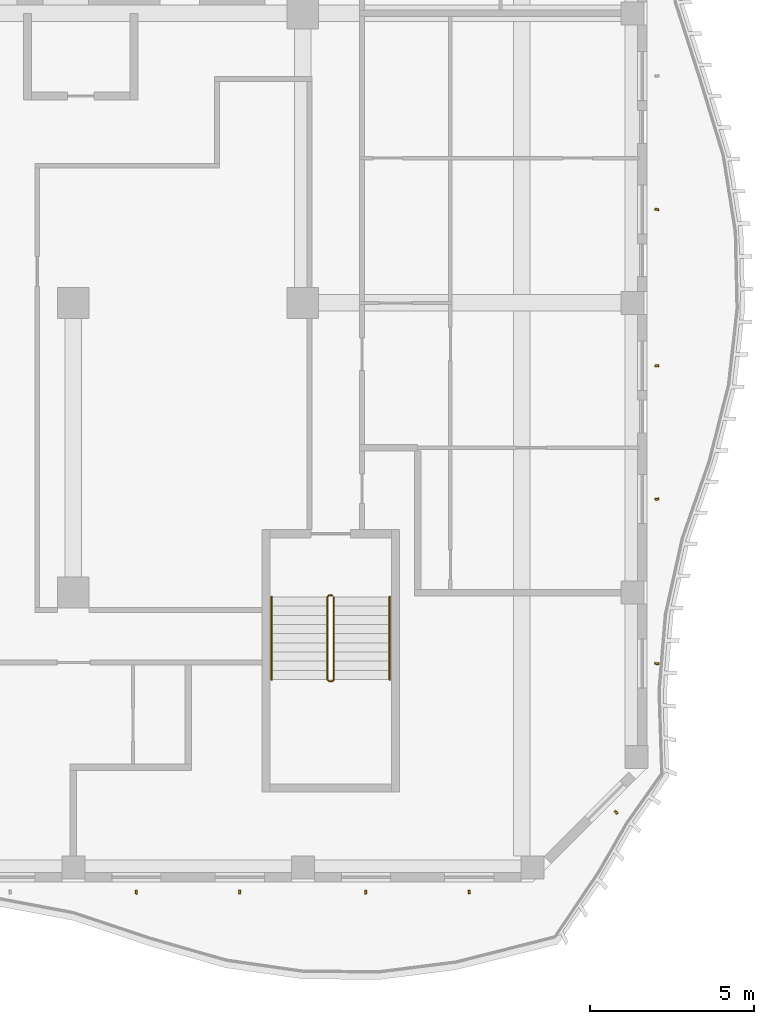
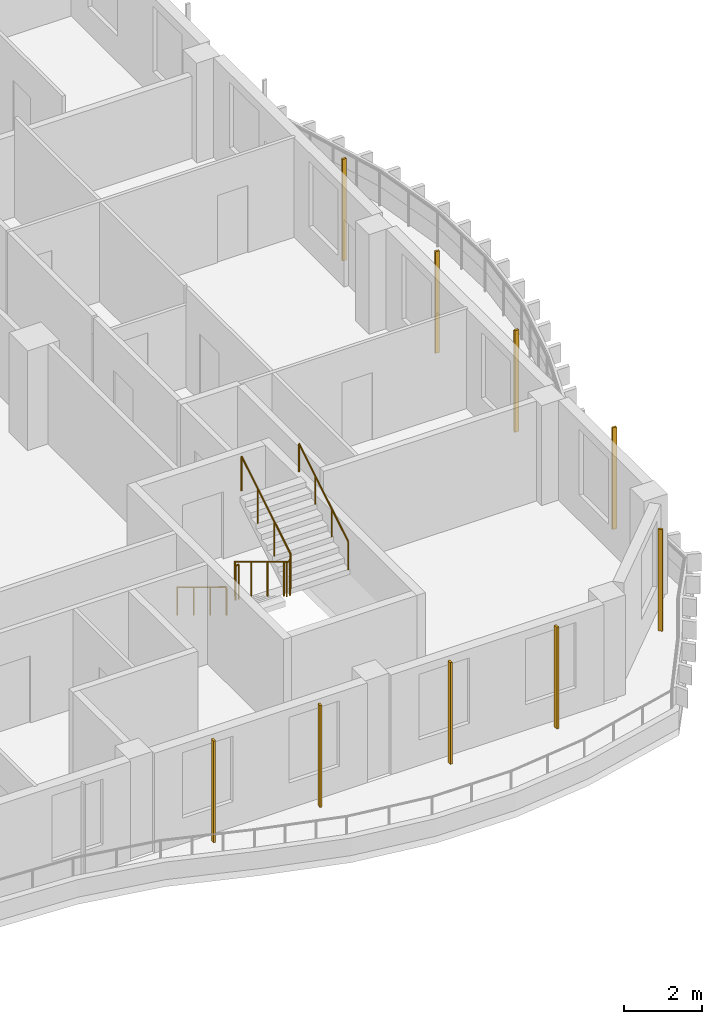
# One storey, part 15 of 19: 9 shading devices, 3 railings.
"""IFC4 building model written with IfcOpenShell, lengths in metres."""

import ifcopenshell
import ifcopenshell.guid

model = None  # the IFC model being written
_history = None  # IfcOwnerHistory: only IFC2X3 demands one
_inside = {}  # id of a spatial element -> (the spatial element, [elements in it])
_under = {}  # id of a project, library or spatial element -> (it, [spatial elements below it])
_declared = {}  # id of a project -> (the project, [libraries it declares])
_typed = {}  # id of a type object -> (the type object, [elements of that type])
_made_of = {}  # id of a material, layer set ... -> (it, [elements and type objects made of it])


def new_model(schema):
    """Start an empty IFC model of exactly this schema.

    Asked for "IFC4X3", IfcOpenShell would pick the latest addendum, in which some entities
    have other attributes; the version numbers below select the first issue.
    IFC2X3 requires an IfcOwnerHistory on every rooted entity: one is made here for all.
    """
    global model, _history
    if schema == "IFC4X3":
        model = ifcopenshell.file(schema_version=(4, 3, 0, 0))
    else:
        model = ifcopenshell.file(schema=schema)
    _inside.clear()
    _under.clear()
    _declared.clear()
    _typed.clear()
    _made_of.clear()
    _history = None
    if model.schema == "IFC2X3":
        org = make("IfcOrganization", Name="unknown")
        user = make(
            "IfcPersonAndOrganization",
            ThePerson=make("IfcPerson", FamilyName="unknown"),
            TheOrganization=org,
        )
        app = make(
            "IfcApplication",
            ApplicationDeveloper=org,
            Version="unknown",
            ApplicationFullName="unknown",
            ApplicationIdentifier="unknown",
        )
        _history = make(
            "IfcOwnerHistory",
            OwningUser=user,
            OwningApplication=app,
            ChangeAction="ADDED",
            CreationDate=0,
        )
    return model


def make(cls, **values):
    """One entity of the class cls with the attributes given. An attribute that is None is left unset."""
    return model.create_entity(
        cls, **{name: value for name, value in values.items() if value is not None}
    )


def rooted(cls, **values):
    """An entity with a GlobalId (a new one), such as an element, a storey or a relation."""
    return make(cls, GlobalId=ifcopenshell.guid.new(), OwnerHistory=_history, **values)


def si_unit(unit_type, name, prefix=None):
    """IfcSIUnit, for example si_unit("LENGTHUNIT", "METRE", prefix="MILLI")."""
    return make("IfcSIUnit", UnitType=unit_type, Prefix=prefix, Name=name)


def assignment(units):
    """IfcUnitAssignment: the units of a project."""
    return None if units is None else make("IfcUnitAssignment", Units=units)


def point(xyz):
    """IfcCartesianPoint."""
    return None if xyz is None else make("IfcCartesianPoint", Coordinates=xyz)


def direction(xyz):
    """IfcDirection."""
    return None if xyz is None else make("IfcDirection", DirectionRatios=xyz)


def frame(location, z_axis=None, x_axis=None):
    """IfcAxis2Placement3D, a coordinate frame: its origin and axes. An axis left out is left unset."""
    return make(
        "IfcAxis2Placement3D",
        Location=point(location),
        Axis=direction(z_axis),
        RefDirection=direction(x_axis),
    )


def frame_2d(location, x_axis=None):
    """IfcAxis2Placement2D, a coordinate frame in the plane: its origin and x axis."""
    return make(
        "IfcAxis2Placement2D", Location=point(location), RefDirection=direction(x_axis)
    )


def origin():
    """The frame at (0, 0, 0) with its axes left unset."""
    return frame((0.0, 0.0, 0.0))


def origin_2d():
    """The frame at (0, 0) in the plane with its x axis left unset."""
    return frame_2d((0.0, 0.0))


def place(relative_to, where):
    """IfcLocalPlacement: puts the frame where relative to a parent placement (None: the world)."""
    return make(
        "IfcLocalPlacement", PlacementRelTo=relative_to, RelativePlacement=where
    )


def context(
    kind, dimensions, precision=None, world=None, true_north=None, identifier=None
):
    """IfcGeometricRepresentationContext, for example the 3D "Model" context."""
    return make(
        "IfcGeometricRepresentationContext",
        ContextIdentifier=identifier,
        ContextType=kind,
        CoordinateSpaceDimension=dimensions,
        Precision=precision,
        WorldCoordinateSystem=world,
        TrueNorth=true_north,
    )


def subcontext(parent, identifier, kind, view, scale=None):
    """IfcGeometricRepresentationSubContext, for example "Body" below "Model"."""
    return make(
        "IfcGeometricRepresentationSubContext",
        ContextIdentifier=identifier,
        ContextType=kind,
        ParentContext=parent,
        TargetScale=scale,
        TargetView=view,
    )


def project(units=None, contexts=None):
    """IfcProject with its units and contexts."""
    return rooted(
        "IfcProject",
        Name="project",
        RepresentationContexts=contexts,
        UnitsInContext=assignment(units),
    )


def spatial(cls, under=None, at=None, **own):
    """A site, building, storey or space (cls), placed at a placement, below another one or the project."""
    s = rooted(cls, ObjectPlacement=at, **own)
    if under is not None:
        _under.setdefault(under.id(), (under, []))[1].append(s)
    return s


def profile(cls, at=None, kind="AREA", **sizes):
    """A parametric profile (cls). Its sizes go by their IFC names, for example OverallWidth=200.0."""
    return make(cls, ProfileType=kind, Position=at, **sizes)


def rectangle(**sizes):
    """IfcRectangleProfileDef."""
    return profile("IfcRectangleProfileDef", **sizes)


def circle(**sizes):
    """IfcCircleProfileDef."""
    return profile("IfcCircleProfileDef", **sizes)


def extrude(swept, where, along, depth):
    """IfcExtrudedAreaSolid: the profile swept, set in the frame where, extruded along a direction by depth."""
    return make(
        "IfcExtrudedAreaSolid",
        SweptArea=swept,
        Position=where,
        ExtrudedDirection=direction(along),
        Depth=depth,
    )


def shape(context_of_items, identifier, shape_type, items):
    """IfcShapeRepresentation: the items that make up one representation, for example the "Body"."""
    return make(
        "IfcShapeRepresentation",
        ContextOfItems=context_of_items,
        RepresentationIdentifier=identifier,
        RepresentationType=shape_type,
        Items=items,
    )


def source(mapping_origin, context_of_items, identifier, shape_type, items):
    """IfcRepresentationMap: a shape defined once, which mapped items show again and again."""
    return make(
        "IfcRepresentationMap",
        MappingOrigin=mapping_origin,
        MappedRepresentation=shape(context_of_items, identifier, shape_type, items),
    )


def transform(
    local_origin,
    x_axis=None,
    y_axis=None,
    z_axis=None,
    scale=None,
    scale2=None,
    scale3=None,
    uniform=True,
):
    """IfcCartesianTransformationOperator3D, or its non-uniform kind. x_axis, y_axis, z_axis: its Axis1, 2, 3."""
    if uniform:
        return make(
            "IfcCartesianTransformationOperator3D",
            Axis1=direction(x_axis),
            Axis2=direction(y_axis),
            LocalOrigin=point(local_origin),
            Scale=scale,
            Axis3=direction(z_axis),
        )
    return make(
        "IfcCartesianTransformationOperator3DnonUniform",
        Axis1=direction(x_axis),
        Axis2=direction(y_axis),
        LocalOrigin=point(local_origin),
        Scale=scale,
        Axis3=direction(z_axis),
        Scale2=scale2,
        Scale3=scale3,
    )


def mapped(mapping_source, mapping_target):
    """IfcMappedItem: shows the shape of a source again, moved by a transform."""
    return make(
        "IfcMappedItem", MappingSource=mapping_source, MappingTarget=mapping_target
    )


def material(Name=None, Category=None):
    """IfcMaterial."""
    return make("IfcMaterial", Name=Name, Category=Category)


def material_profile(
    of_material, cross_section, Name=None, Category=None, Priority=None
):
    """IfcMaterialProfile: a cross section and its material."""
    return make(
        "IfcMaterialProfile",
        Name=Name,
        Material=of_material,
        Profile=cross_section,
        Priority=Priority,
        Category=Category,
    )


def profile_set(profiles, Name=None, composite=None):
    """IfcMaterialProfileSet."""
    return make(
        "IfcMaterialProfileSet",
        Name=Name,
        MaterialProfiles=profiles,
        CompositeProfile=composite,
    )


def made_of(thing, what):
    """Note that an element or type object is made of a material, layer set ...; save() writes the relation."""
    if what is not None:
        _made_of.setdefault(what.id(), (what, []))[1].append(thing)
    return thing


def type_object(cls, material=None, **own):
    """A type object (cls), such as IfcWallType, which elements share."""
    return made_of(rooted(cls, **own), material)


def element(
    cls,
    number,
    at=None,
    inside=None,
    cuts=None,
    type_object=None,
    material=None,
    context=None,
    identifier="Body",
    shape_type=None,
    held_by="IfcProductDefinitionShape",
    body=None,
    shapes=None,
    **own,
):
    """One element of the class cls, such as IfcWall. Its Tag is "e" and its number.

    at: its placement. inside: the storey or other place that contains it. cuts: it is an
    opening in that element (IfcRelVoidsElement). A single representation is given by context,
    identifier, shape_type and body (its items); several are given by shapes. held_by: the class
    of the entity that holds the representations. save() writes the other relations.
    """
    e = rooted(cls, Tag="e%d" % number, ObjectPlacement=at, **own)
    if body is not None:
        shapes = [shape(context, identifier, shape_type, body)]
    if shapes is not None:
        e.Representation = make(held_by, Representations=shapes)
    if inside is not None:
        _inside.setdefault(inside.id(), (inside, []))[1].append(e)
    if cuts is not None:
        rooted(
            "IfcRelVoidsElement", RelatingBuildingElement=cuts, RelatedOpeningElement=e
        )
    if type_object is not None:
        _typed.setdefault(type_object.id(), (type_object, []))[1].append(e)
    return made_of(e, material)


def aggregate(whole, parts):
    """IfcRelAggregates: a whole, such as a stair, and the parts it consists of."""
    return rooted("IfcRelAggregates", RelatingObject=whole, RelatedObjects=parts)


def save(model, path):
    """Write the relations noted so far, then the file.

    IfcRelAggregates (storeys below a building ...), IfcRelContainedInSpatialStructure (elements
    in a storey), IfcRelDefinesByType, IfcRelAssociatesMaterial and IfcRelDeclares: one each for
    every whole, place, type object, material and project.
    """
    for whole, parts in _under.values():
        aggregate(whole, parts)
    for where, things in _inside.values():
        rooted(
            "IfcRelContainedInSpatialStructure",
            RelatedElements=things,
            RelatingStructure=where,
        )
    for kind, things in _typed.values():
        rooted("IfcRelDefinesByType", RelatedObjects=things, RelatingType=kind)
    for what, things in _made_of.values():
        rooted("IfcRelAssociatesMaterial", RelatedObjects=things, RelatingMaterial=what)
    for by, libraries in _declared.values():
        rooted("IfcRelDeclares", RelatingContext=by, RelatedDefinitions=libraries)
    model.write(path)


model = new_model("IFC4")

# Units and contexts
model_context = context("Model", 3, precision=1e-05, world=origin(), true_north=direction((0.0, 1.0)))
body_context = subcontext(model_context, "Body", "Model", "MODEL_VIEW")
ifc_project = project(units=[si_unit("LENGTHUNIT", "METRE"), si_unit("AREAUNIT", "SQUARE_METRE"), si_unit("VOLUMEUNIT", "CUBIC_METRE"), si_unit("PLANEANGLEUNIT", "RADIAN"), si_unit("MASSUNIT", "GRAM", prefix="KILO")], contexts=[model_context])

# Site, building, storey
site_placement = place(None, origin())
site = spatial("IfcSite", under=ifc_project, at=site_placement, CompositionType="ELEMENT")
building_placement = place(site_placement, origin())
building = spatial("IfcBuilding", under=site, at=building_placement, Name="Kilnfold Tower and Market Hall", CompositionType="ELEMENT")
storey_placement = place(building_placement, frame((0.0, 0.0, 242.39990234375)))
storey = spatial("IfcBuildingStorey", under=building, at=storey_placement, Name="L58", CompositionType="ELEMENT", Elevation=242.39990234375)

# Railings
ifc_material_1 = material(Name="Stainless steel 316", Category="steel")
railing_type_1 = type_object("IfcRailingType", Name="CORE STAIR GUARD 1100", PredefinedType="GUARDRAIL", material=ifc_material_1)
railing_1_placement = place(storey_placement, frame((19.89990234375, -9.75, 0.0)))
element("IfcRailing", 1, at=railing_1_placement, inside=storey, type_object=railing_type_1, Name="L58 ST4 stair guard 1", PredefinedType="GUARDRAIL", context=body_context, shape_type="SweptSolid", body=[
    extrude(circle(Radius=0.02392578125, at=origin_2d()), frame((0.0, 0.0, 1.076171875), z_axis=(-1.0, 0.0, 0.0), x_axis=(0.0, -1.0, 0.0)), (0.0, 0.0, 1.0), 0.099853515625),
    extrude(circle(Radius=0.02392578125, at=origin_2d()), frame((-0.099853515625, 0.0, 1.076171875), z_axis=(-0.271562723297, -0.271562723297, 0.923313259209), x_axis=(0.707106781187, -0.707106781187, 0.0)), (0.0, 0.0, 1.0), 0.184326171875),
    extrude(circle(Radius=0.02392578125, at=origin_2d()), frame((-0.14990234375, -0.050048828125, 1.24609375), z_axis=(0.0, -0.85478489116, 0.518982456201), x_axis=(1.0, 0.0, 0.0)), (0.0, 0.0, 1.0), 2.9482421875),
    extrude(circle(Radius=0.02392578125, at=origin_2d()), frame((-0.14990234375, -2.570068359375, 2.7763671875), z_axis=(0.707106781187, -0.707106781187, 0.0), x_axis=(0.707106781187, 0.707106781187, 0.0)), (0.0, 0.0, 1.0), 0.07080078125),
    extrude(circle(Radius=0.02392578125, at=origin_2d()), frame((-0.099853515625, -2.6201171875, 2.7763671875), z_axis=(1.0, 0.0, 0.0), x_axis=(0.0, 1.0, 0.0)), (0.0, 0.0, 1.0), 0.099853515625),
    extrude(circle(Radius=0.02392578125, at=origin_2d()), frame((0.0, -2.6201171875, 2.7763671875), z_axis=(0.271895245746, 0.271895245746, 0.923117517265), x_axis=(-0.707106781187, 0.707106781187, 0.0)), (0.0, 0.0, 1.0), 0.18408203125),
    extrude(circle(Radius=0.02392578125, at=origin_2d()), frame((0.050048828125, -2.570068359375, 2.9462890625), z_axis=(0.0, 0.85478489116, 0.518982456201), x_axis=(-1.0, 0.0, 0.0)), (0.0, 0.0, 1.0), 2.9482421875),
    extrude(circle(Radius=0.02099609375, at=origin_2d()), origin(), (0.0, 0.0, 1.0), 1.052001953125),
    extrude(circle(Radius=0.02099609375, at=origin_2d()), frame((-0.099853515625, 0.0, 0.0)), (0.0, 0.0, 1.0), 1.052001953125),
    extrude(circle(Radius=0.02099609375, at=origin_2d()), frame((-0.14990234375, -0.050048828125, 0.170166015625)), (0.0, 0.0, 1.0), 1.052001953125),
    extrude(circle(Radius=0.02099609375, at=origin_2d()), frame((-0.14990234375, -0.89013671875, 0.68017578125)), (0.0, 0.0, 1.0), 1.052001953125),
    extrude(circle(Radius=0.02099609375, at=origin_2d()), frame((-0.14990234375, -1.72998046875, 1.190185546875)), (0.0, 0.0, 1.0), 1.052001953125),
    extrude(circle(Radius=0.02099609375, at=origin_2d()), frame((-0.14990234375, -2.570068359375, 1.7001953125)), (0.0, 0.0, 1.0), 1.052001953125),
    extrude(circle(Radius=0.02099609375, at=origin_2d()), frame((-0.099853515625, -2.6201171875, 1.7001953125)), (0.0, 0.0, 1.0), 1.052001953125),
    extrude(circle(Radius=0.02099609375, at=origin_2d()), frame((0.0, -2.6201171875, 1.7001953125)), (0.0, 0.0, 1.0), 1.052001953125),
    extrude(circle(Radius=0.02099609375, at=origin_2d()), frame((0.050048828125, -2.570068359375, 1.8701171875)), (0.0, 0.0, 1.0), 1.052001953125),
    extrude(circle(Radius=0.02099609375, at=origin_2d()), frame((0.050048828125, -1.72998046875, 2.380126953125)), (0.0, 0.0, 1.0), 1.052001953125),
    extrude(circle(Radius=0.02099609375, at=origin_2d()), frame((0.050048828125, -0.89013671875, 2.89013671875)), (0.0, 0.0, 1.0), 1.052001953125),
    extrude(circle(Radius=0.02099609375, at=origin_2d()), frame((0.050048828125, -0.050048828125, 3.400146484375)), (0.0, 0.0, 1.0), 1.052001953125),
])
ifc_material_2 = material(Name="Stainless steel 316", Category="steel")
railing_type_2 = type_object("IfcRailingType", Name="CORE STAIR HANDRAIL 900", PredefinedType="HANDRAIL", material=ifc_material_2)
railing_2_placement = place(storey_placement, frame((18.050048828125, -9.800048828125, 0.170166015625)))
element("IfcRailing", 2, at=railing_2_placement, inside=storey, type_object=railing_type_2, Name="L58 ST4 stair handrail 1", PredefinedType="HANDRAIL", context=body_context, shape_type="SweptSolid", body=[
    extrude(circle(Radius=0.02392578125, at=origin_2d()), frame((0.0, 0.0, 0.8759765625), z_axis=(0.0, -0.85478489116, 0.518982456201), x_axis=(1.0, 0.0, 0.0)), (0.0, 0.0, 1.0), 2.9482421875),
    extrude(circle(Radius=0.02099609375, at=origin_2d()), origin(), (0.0, 0.0, 1.0), 0.851806640625),
    extrude(circle(Radius=0.02099609375, at=origin_2d()), frame((0.0, -0.840087890625, 0.510009765625)), (0.0, 0.0, 1.0), 0.851806640625),
    extrude(circle(Radius=0.02099609375, at=origin_2d()), frame((0.0, -1.679931640625, 1.02001953125)), (0.0, 0.0, 1.0), 0.851806640625),
    extrude(circle(Radius=0.02099609375, at=origin_2d()), frame((0.0, -2.52001953125, 1.530029296875)), (0.0, 0.0, 1.0), 0.851806640625),
])
railing_3_placement = place(storey_placement, frame((21.64990234375, -12.320068359375, 1.8701171875)))
element("IfcRailing", 3, at=railing_3_placement, inside=storey, type_object=railing_type_2, Name="L58 ST4 stair handrail 2", PredefinedType="HANDRAIL", context=body_context, shape_type="SweptSolid", body=[
    extrude(circle(Radius=0.02392578125, at=origin_2d()), frame((0.0, 0.0, 0.8759765625), z_axis=(0.0, 0.85478489116, 0.518982456201), x_axis=(-1.0, 0.0, 0.0)), (0.0, 0.0, 1.0), 2.9482421875),
    extrude(circle(Radius=0.02099609375, at=origin_2d()), origin(), (0.0, 0.0, 1.0), 0.851806640625),
    extrude(circle(Radius=0.02099609375, at=origin_2d()), frame((0.0, 0.840087890625, 0.510009765625)), (0.0, 0.0, 1.0), 0.851806640625),
    extrude(circle(Radius=0.02099609375, at=origin_2d()), frame((0.0, 1.679931640625, 1.02001953125)), (0.0, 0.0, 1.0), 0.851806640625),
    extrude(circle(Radius=0.02099609375, at=origin_2d()), frame((0.0, 2.52001953125, 1.530029296875)), (0.0, 0.0, 1.0), 0.851806640625),
])

# Shading devices
ifc_material_3 = material(Name="Terracotta", Category="masonry")
ifc_material_profile = material_profile(ifc_material_3, rectangle(XDim=0.06005859375, YDim=0.1201171875, at=origin_2d()), Name="BAG 60x120")
ifc_profile_set = profile_set([ifc_material_profile], Name="Terracotta")
shading_device_type = type_object("IfcShadingDeviceType", Name="BAGUETTE", PredefinedType="USERDEFINED", material=ifc_profile_set)
shared_shape = source(origin(), body_context, "Body", "SweptSolid", [
    extrude(rectangle(XDim=0.06005859375, YDim=0.1201171875, at=origin_2d()), origin(), (0.0, 0.0, 1.0), 3.18017578125),
])
for number, where, z_axis, x_axis, name in (
    (4, (13.925048828125, -18.800048828125, 0.0), (0.0, 0.0, 1.0), (0.999882616693, -0.015321645973, 0.0), "Terracotta baguette L58 S"),
    (5, (17.074951171875, -18.800048828125, 0.0), (0.0, 0.0, 1.0), (0.990289675151, -0.139019276681, 0.0), "Terracotta baguette L58 S"),
    (6, (20.925048828125, -18.800048828125, 0.0), (0.0, 0.0, 1.0), (0.999882616693, 0.015321645973, 0.0), "Terracotta baguette L58 S"),
    (7, (24.074951171875, -18.800048828125, 0.0), (0.0, 0.0, 1.0), (0.990289675151, 0.139019276681, 0.0), "Terracotta baguette L58 S"),
    (8, (28.554931640625, -16.369384765625, 0.0), (0.0, 0.0, 1.0), (0.769986760807, 0.638059862538, 0.0), "Terracotta baguette L58 SE"),
    (9, (29.800048828125, -11.831787109375, 0.0), (0.0, 0.0, 1.0), (0.034841935865, 0.999392835428, 0.0), "Terracotta baguette L58 E"),
    (10, (29.800048828125, -6.816650390625, 0.0), (0.0, 0.0, 1.0), (-0.126706245563, 0.991940284158, 0.0), "Terracotta baguette L58 E"),
    (11, (29.800048828125, -2.75, 0.0), (0.0, 0.0, 1.0), (0.08790683101, 0.996128701053, 0.0), "Terracotta baguette L58 E"),
    (12, (29.800048828125, 2.0166015625, 0.0), (0.0, 0.0, 1.0), (0.043940220038, 0.99903416211, 0.0), "Terracotta baguette L58 E"),
):
    element("IfcShadingDevice", number, at=place(storey_placement, frame(where, z_axis=z_axis, x_axis=x_axis)), inside=storey, type_object=shading_device_type, Name=name, ObjectType="BAGUETTE", PredefinedType="USERDEFINED", context=body_context, shape_type="MappedRepresentation", body=[
        mapped(shared_shape, transform((0.0, 0.0, 0.0))),
    ])

save(model, "model.ifc")
